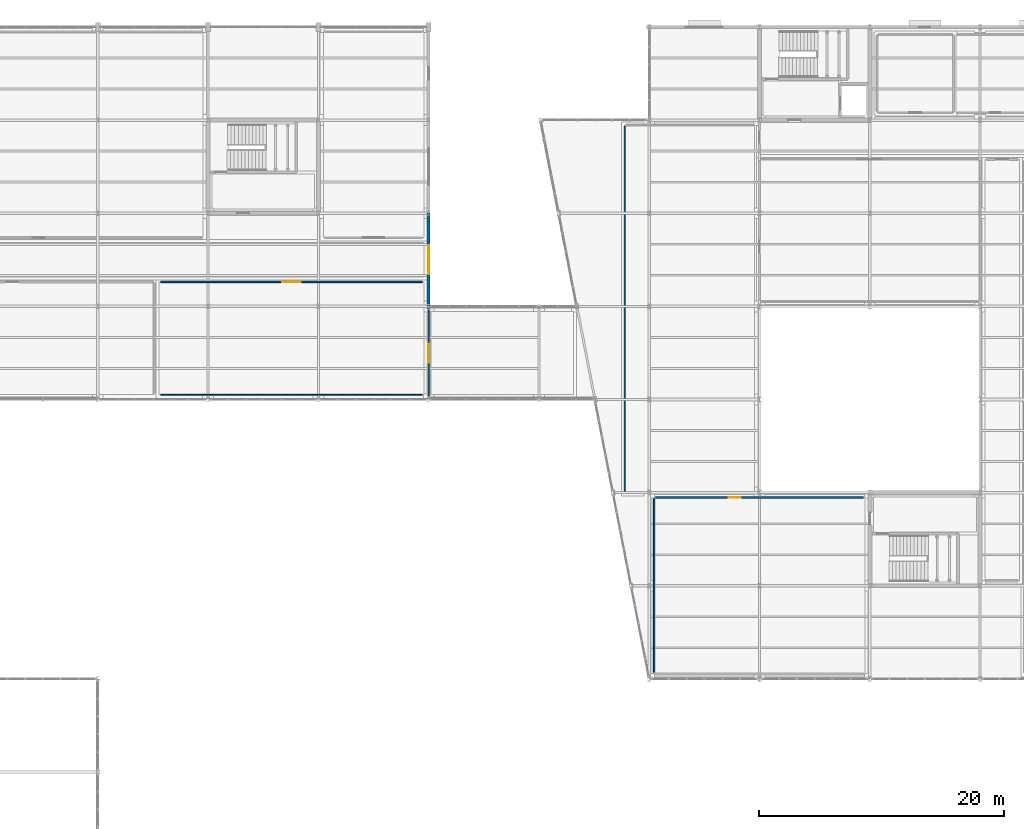
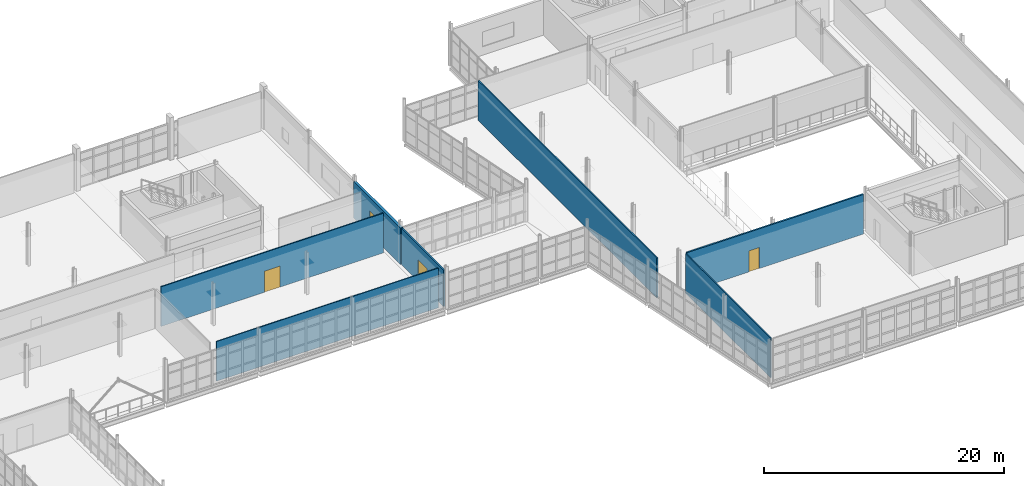
# One storey, part 160 of 174: 7 walls, 3 doors, 1 window, 4 openings.
"""IFC4 building model written with IfcOpenShell, lengths in metres."""

from ifc_helpers import new_model, si_unit, direction, frame, frame_2d, origin, place, context, subcontext, project, spatial, rectangle, extrude, material, layer, layer_set, type_object, element, fill, save


model = new_model("IFC4")

# Units and contexts
model_context = context("Model", 3, precision=1e-05, world=origin(), true_north=direction((0.0, 1.0)))
body_context = subcontext(model_context, "Body", "Model", "MODEL_VIEW")
ifc_project = project(units=[si_unit("LENGTHUNIT", "METRE"), si_unit("AREAUNIT", "SQUARE_METRE"), si_unit("VOLUMEUNIT", "CUBIC_METRE"), si_unit("PLANEANGLEUNIT", "RADIAN"), si_unit("MASSUNIT", "GRAM", prefix="KILO")], contexts=[model_context])

# Site, building, storey
site_placement = place(None, origin())
site = spatial("IfcSite", under=ifc_project, at=site_placement, CompositionType="ELEMENT")
building_placement = place(site_placement, origin())
building = spatial("IfcBuilding", under=site, at=building_placement, Name="Caisbarro Railhouse Central Library", CompositionType="ELEMENT")
storey_placement = place(building_placement, frame((0.0, 0.0, 5.0400390625)))
storey = spatial("IfcBuildingStorey", under=building, at=storey_placement, Name="L01", CompositionType="ELEMENT", Elevation=5.0400390625)

# Wall, opening, window
ifc_material_1 = material(Name="Concrete C35 insulated architectural precast", Category="concrete")
ifc_layer_1 = layer(ifc_material_1, 0.239990234375, Name="Concrete C35 insulated architectural precast")
ifc_layer_set_1 = layer_set([ifc_layer_1], Name="Concrete C35 insulated architectural precast")
wall_type_1 = type_object("IfcWallType", Name="WAL-EW24", PredefinedType="STANDARD", material=ifc_layer_set_1)
wall_1_placement = place(storey_placement, frame((99.0, 90.989990234375, 0.0), z_axis=(0.0, 0.0, 1.0), x_axis=(0.0, 1.0, 0.0)))
wall_1 = element("IfcWall", 1, at=wall_1_placement, inside=storey, type_object=wall_type_1, Name="EW24 exterior wall L01 #243", PredefinedType="STANDARD", context=body_context, shape_type="SweptSolid", body=[
    extrude(rectangle(XDim=7.81005859375, YDim=0.239990234375, at=frame_2d((3.905029296875, 0.0))), origin(), (0.0, 0.0, 1.0), 3.700927734375),
])
opening_1_placement = place(wall_1_placement, frame((2.8349609375, 0.0, 0.85009765625)))
opening_1 = element("IfcOpeningElement", 2, at=opening_1_placement, cuts=wall_1, Name="Opening W25", PredefinedType="OPENING", context=body_context, shape_type="SweptSolid", body=[
    extrude(rectangle(XDim=2.35009765625, YDim=1.5, at=frame_2d((1.175048828125, 0.75))), frame((0.0, 0.1298828125, 0.0), z_axis=(0.0, -1.0, 0.0), x_axis=(1.0, 0.0, 0.0)), (0.0, 0.0, 1.0), 0.260009765625),
])
ifc_material_2 = material(Name="Double low-e laminated solar-control glass", Category="glass")
window_type = type_object("IfcWindowType", Name="WIN-W25", PartitioningType="SINGLE_PANEL", PredefinedType="WINDOW", material=ifc_material_2)
window_placement = place(opening_1_placement, origin())
window = element("IfcWindow", 3, at=window_placement, inside=storey, type_object=window_type, Name="W25 window L01-091", OverallHeight=1.5, OverallWidth=2.35009765625, PartitioningType="SINGLE_PANEL", PredefinedType="WINDOW", context=body_context, shape_type="SweptSolid", body=[
    extrude(rectangle(XDim=2.35009765625, YDim=1.5, at=frame_2d((1.175048828125, 0.75))), frame((0.0, 0.030029296875, 0.0), z_axis=(0.0, -1.0, 0.0), x_axis=(1.0, 0.0, 0.0)), (0.0, 0.0, 1.0), 0.06005859375),
])
fill(opening_1, window)

# Wall
ifc_material_3 = material(Name="Acoustic gypsum board on galvanised steel studs", Category="steel")
ifc_layer_2 = layer(ifc_material_3, 0.090087890625, Name="Acoustic gypsum board on galvanised steel studs")
ifc_layer_set_2 = layer_set([ifc_layer_2], Name="Acoustic gypsum board on galvanised steel studs")
wall_type_2 = type_object("IfcWallType", Name="WAL-IW09", PredefinedType="PARTITIONING", material=ifc_layer_set_2)
wall_2_placement = place(storey_placement, frame((77.1201171875, 84.0, 0.0), z_axis=(0.0, 0.0, 1.0), x_axis=(1.0, 0.0, 0.0)))
element("IfcWall", 4, at=wall_2_placement, inside=storey, type_object=wall_type_2, Name="IW09 partition wall L01 #427", PredefinedType="PARTITIONING", context=body_context, shape_type="SweptSolid", body=[
    extrude(rectangle(XDim=21.35986328125, YDim=0.090087890625, at=frame_2d((10.679931640625, 0.0))), origin(), (0.0, 0.0, 1.0), 4.0400390625),
])

# Wall, opening, door
ifc_layer_3 = layer(ifc_material_3, 0.110107421875, Name="Acoustic gypsum board on galvanised steel studs")
ifc_layer_set_3 = layer_set([ifc_layer_3], Name="Acoustic gypsum board on galvanised steel studs")
wall_type_3 = type_object("IfcWallType", Name="WAL-IW11", PredefinedType="PARTITIONING", material=ifc_layer_set_3)
wall_3_placement = place(storey_placement, frame((77.1201171875, 93.199951171875, 0.0), z_axis=(0.0, 0.0, 1.0), x_axis=(1.0, 0.0, 0.0)))
wall_3 = element("IfcWall", 5, at=wall_3_placement, inside=storey, type_object=wall_type_3, Name="IW11 partition wall L01 #426", PredefinedType="PARTITIONING", context=body_context, shape_type="SweptSolid", body=[
    extrude(rectangle(XDim=21.35986328125, YDim=0.110107421875, at=frame_2d((10.679931640625, 0.0))), origin(), (0.0, 0.0, 1.0), 4.0400390625),
])
opening_2_placement = place(wall_3_placement, frame((9.9150390625, 0.0, 0.0)))
opening_2 = element("IfcOpeningElement", 6, at=opening_2_placement, cuts=wall_3, Name="Opening ID34", PredefinedType="OPENING", context=body_context, shape_type="SweptSolid", body=[
    extrude(rectangle(XDim=1.530029296875, YDim=2.14990234375, at=frame_2d((0.76513671875, 1.074951171875))), frame((0.0, 0.06494140625, 0.0), z_axis=(0.0, -1.0, 0.0), x_axis=(1.0, 0.0, 0.0)), (0.0, 0.0, 1.0), 0.130126953125),
])
ifc_material_4 = material(Name="Solid-core tropical hardwood veneer", Category="wood")
door_type_1 = type_object("IfcDoorType", Name="DR-ID34", OperationType="NOTDEFINED", PredefinedType="DOOR", material=ifc_material_4)
door_1_placement = place(opening_2_placement, origin())
door_1 = element("IfcDoor", 7, at=door_1_placement, inside=storey, type_object=door_type_1, Name="Audio Recording and Podcast Lab Door ID34 L01-253", OperationType="SINGLE_SWING_LEFT", OverallHeight=2.14990234375, OverallWidth=1.530029296875, PredefinedType="DOOR", context=body_context, shape_type="SweptSolid", body=[
    extrude(rectangle(XDim=1.530029296875, YDim=2.14990234375, at=frame_2d((0.76513671875, 1.074951171875))), frame((0.0, 0.02490234375, 0.0), z_axis=(0.0, -1.0, 0.0), x_axis=(1.0, 0.0, 0.0)), (0.0, 0.0, 1.0), 0.050048828125),
])
fill(opening_2, door_1)

# Walls
wall_4_placement = place(storey_placement, frame((117.39990234375, 61.320068359375, 0.0), z_axis=(0.0, 0.0, 1.0), x_axis=(0.0, 1.0, 0.0)))
element("IfcWall", 8, at=wall_4_placement, inside=storey, type_object=wall_type_3, Name="IW11 partition wall L01 #434", PredefinedType="PARTITIONING", context=body_context, shape_type="SweptSolid", body=[
    extrude(rectangle(XDim=14.159912109375, YDim=0.110107421875, at=frame_2d((7.080078125, 0.0))), origin(), (0.0, 0.0, 1.0), 4.0400390625),
])
wall_5_placement = place(storey_placement, frame((115.0, 76.1201171875, 0.0), z_axis=(0.0, 0.0, 1.0), x_axis=(0.0, 1.0, 0.0)))
element("IfcWall", 9, at=wall_5_placement, inside=storey, type_object=wall_type_3, Name="IW11 partition wall L01 #462", PredefinedType="PARTITIONING", context=body_context, shape_type="SweptSolid", body=[
    extrude(rectangle(XDim=29.759765625, YDim=0.110107421875, at=frame_2d((14.8798828125, 0.0))), origin(), (0.0, 0.0, 1.0), 4.0400390625),
])

# Wall, opening, door
ifc_layer_4 = layer(ifc_material_3, 0.14990234375, Name="Acoustic gypsum board on galvanised steel studs")
ifc_layer_set_4 = layer_set([ifc_layer_4], Name="Acoustic gypsum board on galvanised steel studs")
wall_type_4 = type_object("IfcWallType", Name="WAL-IW15", PredefinedType="PARTITIONING", material=ifc_layer_set_4)
wall_6_placement = place(storey_placement, frame((99.0, 83.89990234375, 0.0), z_axis=(0.0, 0.0, 1.0), x_axis=(0.0, 1.0, 0.0)))
wall_6 = element("IfcWall", 10, at=wall_6_placement, inside=storey, type_object=wall_type_4, Name="IW15 partition wall L01 #370", PredefinedType="PARTITIONING", context=body_context, shape_type="SweptSolid", body=[
    extrude(rectangle(XDim=7.0, YDim=0.14990234375, at=frame_2d((3.5, 0.0))), origin(), (0.0, 0.0, 1.0), 3.700927734375),
])
opening_3_placement = place(wall_6_placement, frame((2.699951171875, 0.0, 0.0)))
opening_3 = element("IfcOpeningElement", 11, at=opening_3_placement, cuts=wall_6, Name="Opening FD07", PredefinedType="OPENING", context=body_context, shape_type="SweptSolid", body=[
    extrude(rectangle(XDim=1.550048828125, YDim=2.199951171875, at=frame_2d((0.77490234375, 1.10009765625))), frame((0.0, 0.0849609375, 0.0), z_axis=(0.0, -1.0, 0.0), x_axis=(1.0, 0.0, 0.0)), (0.0, 0.0, 1.0), 0.169921875),
])
ifc_material_5 = material(Name="Fire-rated painted galvanised steel", Category="steel")
door_type_2 = type_object("IfcDoorType", Name="DR-FD07", OperationType="NOTDEFINED", PredefinedType="DOOR", material=ifc_material_5)
door_2_placement = place(opening_3_placement, origin())
door_2 = element("IfcDoor", 12, at=door_2_placement, inside=storey, type_object=door_type_2, Name="East Bridge Door FD07 L01-229", OperationType="SINGLE_SWING_LEFT", OverallHeight=2.199951171875, OverallWidth=1.550048828125, PredefinedType="DOOR", context=body_context, shape_type="SweptSolid", body=[
    extrude(rectangle(XDim=1.550048828125, YDim=2.199951171875, at=frame_2d((0.77490234375, 1.10009765625))), frame((0.0, 0.02490234375, 0.0), z_axis=(0.0, -1.0, 0.0), x_axis=(1.0, 0.0, 0.0)), (0.0, 0.0, 1.0), 0.050048828125),
])
fill(opening_3, door_2)

wall_7_placement = place(storey_placement, frame((117.52001953125, 75.60009765625, 0.0), z_axis=(0.0, 0.0, 1.0), x_axis=(1.0, 0.0, 0.0)))
wall_7 = element("IfcWall", 13, at=wall_7_placement, inside=storey, type_object=wall_type_4, Name="IW15 partition wall L01 #432", PredefinedType="PARTITIONING", context=body_context, shape_type="SweptSolid", body=[
    extrude(rectangle(XDim=16.9599609375, YDim=0.14990234375, at=frame_2d((8.47998046875, 0.0))), origin(), (0.0, 0.0, 1.0), 4.0400390625),
])
opening_4_placement = place(wall_7_placement, frame((5.965087890625, 0.0, 0.0)))
opening_4 = element("IfcOpeningElement", 14, at=opening_4_placement, cuts=wall_7, Name="Opening FD05", PredefinedType="OPENING", context=body_context, shape_type="SweptSolid", body=[
    extrude(rectangle(XDim=1.0, YDim=2.14990234375, at=frame_2d((0.5, 1.074951171875))), frame((0.0, 0.0849609375, 0.0), z_axis=(0.0, -1.0, 0.0), x_axis=(1.0, 0.0, 0.0)), (0.0, 0.0, 1.0), 0.169921875),
])
door_type_3 = type_object("IfcDoorType", Name="DR-FD05", OperationType="NOTDEFINED", PredefinedType="DOOR", material=ifc_material_5)
door_3_placement = place(opening_4_placement, origin())
door_3 = element("IfcDoor", 15, at=door_3_placement, inside=storey, type_object=door_type_3, Name="Atrium South Reading Room L01 Door FD05 L01-256", OperationType="SINGLE_SWING_RIGHT", OverallHeight=2.14990234375, OverallWidth=1.0, PredefinedType="DOOR", context=body_context, shape_type="SweptSolid", body=[
    extrude(rectangle(XDim=1.0, YDim=2.14990234375, at=frame_2d((0.5, 1.074951171875))), frame((0.0, 0.02490234375, 0.0), z_axis=(0.0, -1.0, 0.0), x_axis=(1.0, 0.0, 0.0)), (0.0, 0.0, 1.0), 0.050048828125),
])
fill(opening_4, door_3)

save(model, "model.ifc")
